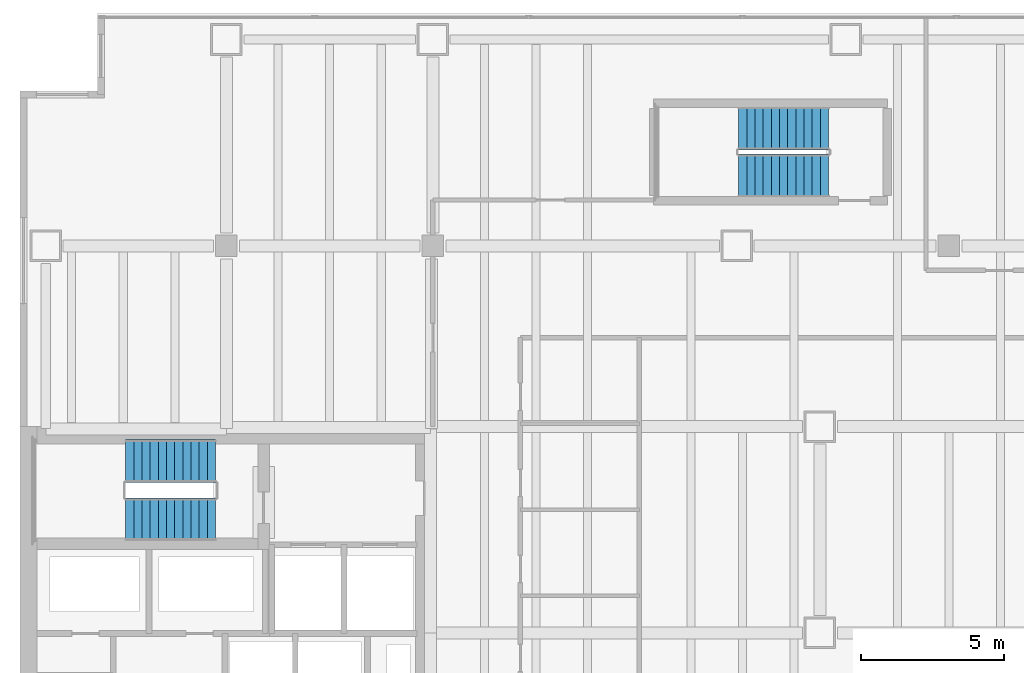
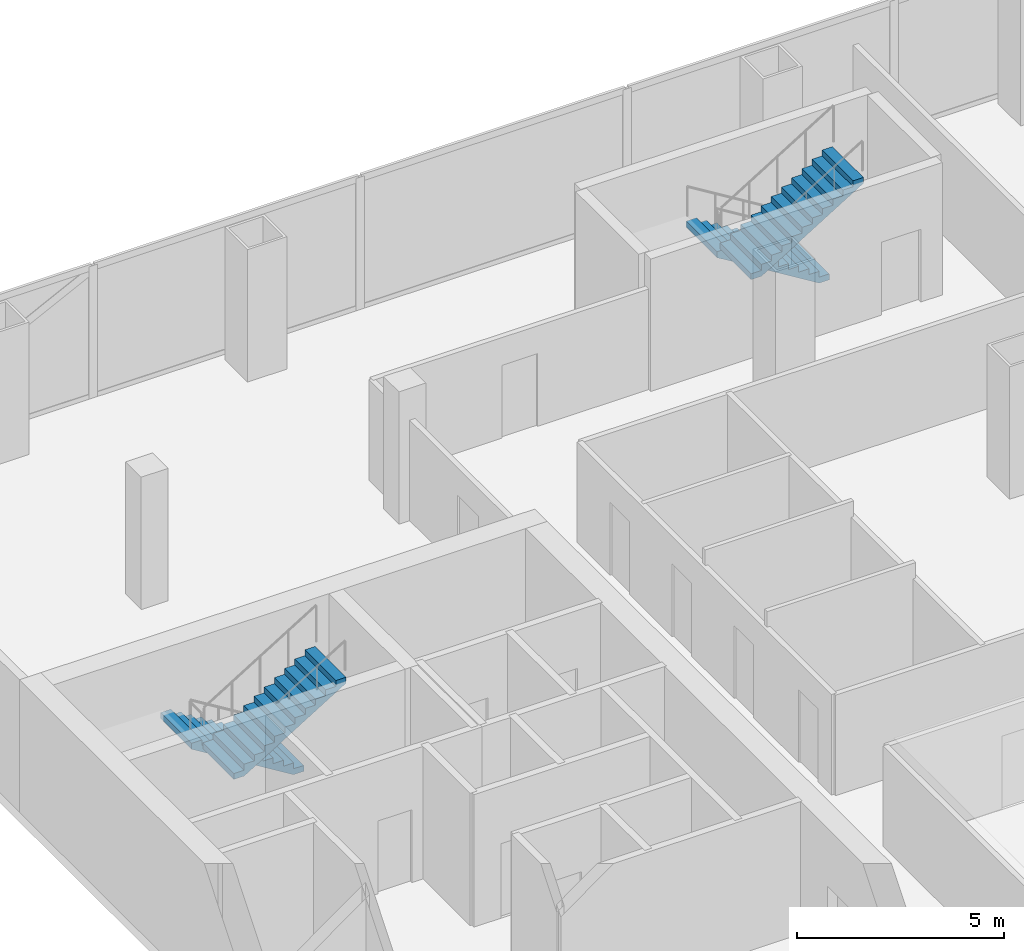
# One storey, part 26 of 28: 4 stair flights, 2 elements without a shape of their own.
"""IFC4 building model written with IfcOpenShell, lengths in metres."""

import ifcopenshell
import ifcopenshell.guid

model = None  # the IFC model being written
_history = None  # IfcOwnerHistory: only IFC2X3 demands one
_inside = {}  # id of a spatial element -> (the spatial element, [elements in it])
_under = {}  # id of a project, library or spatial element -> (it, [spatial elements below it])
_declared = {}  # id of a project -> (the project, [libraries it declares])
_typed = {}  # id of a type object -> (the type object, [elements of that type])
_made_of = {}  # id of a material, layer set ... -> (it, [elements and type objects made of it])


def new_model(schema):
    """Start an empty IFC model of exactly this schema.

    Asked for "IFC4X3", IfcOpenShell would pick the latest addendum, in which some entities
    have other attributes; the version numbers below select the first issue.
    IFC2X3 requires an IfcOwnerHistory on every rooted entity: one is made here for all.
    """
    global model, _history
    if schema == "IFC4X3":
        model = ifcopenshell.file(schema_version=(4, 3, 0, 0))
    else:
        model = ifcopenshell.file(schema=schema)
    _inside.clear()
    _under.clear()
    _declared.clear()
    _typed.clear()
    _made_of.clear()
    _history = None
    if model.schema == "IFC2X3":
        org = make("IfcOrganization", Name="unknown")
        user = make(
            "IfcPersonAndOrganization",
            ThePerson=make("IfcPerson", FamilyName="unknown"),
            TheOrganization=org,
        )
        app = make(
            "IfcApplication",
            ApplicationDeveloper=org,
            Version="unknown",
            ApplicationFullName="unknown",
            ApplicationIdentifier="unknown",
        )
        _history = make(
            "IfcOwnerHistory",
            OwningUser=user,
            OwningApplication=app,
            ChangeAction="ADDED",
            CreationDate=0,
        )
    return model


def make(cls, **values):
    """One entity of the class cls with the attributes given. An attribute that is None is left unset."""
    return model.create_entity(
        cls, **{name: value for name, value in values.items() if value is not None}
    )


def rooted(cls, **values):
    """An entity with a GlobalId (a new one), such as an element, a storey or a relation."""
    return make(cls, GlobalId=ifcopenshell.guid.new(), OwnerHistory=_history, **values)


def si_unit(unit_type, name, prefix=None):
    """IfcSIUnit, for example si_unit("LENGTHUNIT", "METRE", prefix="MILLI")."""
    return make("IfcSIUnit", UnitType=unit_type, Prefix=prefix, Name=name)


def assignment(units):
    """IfcUnitAssignment: the units of a project."""
    return None if units is None else make("IfcUnitAssignment", Units=units)


def point(xyz):
    """IfcCartesianPoint."""
    return None if xyz is None else make("IfcCartesianPoint", Coordinates=xyz)


def direction(xyz):
    """IfcDirection."""
    return None if xyz is None else make("IfcDirection", DirectionRatios=xyz)


def frame(location, z_axis=None, x_axis=None):
    """IfcAxis2Placement3D, a coordinate frame: its origin and axes. An axis left out is left unset."""
    return make(
        "IfcAxis2Placement3D",
        Location=point(location),
        Axis=direction(z_axis),
        RefDirection=direction(x_axis),
    )


def origin():
    """The frame at (0, 0, 0) with its axes left unset."""
    return frame((0.0, 0.0, 0.0))


def place(relative_to, where):
    """IfcLocalPlacement: puts the frame where relative to a parent placement (None: the world)."""
    return make(
        "IfcLocalPlacement", PlacementRelTo=relative_to, RelativePlacement=where
    )


def context(
    kind, dimensions, precision=None, world=None, true_north=None, identifier=None
):
    """IfcGeometricRepresentationContext, for example the 3D "Model" context."""
    return make(
        "IfcGeometricRepresentationContext",
        ContextIdentifier=identifier,
        ContextType=kind,
        CoordinateSpaceDimension=dimensions,
        Precision=precision,
        WorldCoordinateSystem=world,
        TrueNorth=true_north,
    )


def subcontext(parent, identifier, kind, view, scale=None):
    """IfcGeometricRepresentationSubContext, for example "Body" below "Model"."""
    return make(
        "IfcGeometricRepresentationSubContext",
        ContextIdentifier=identifier,
        ContextType=kind,
        ParentContext=parent,
        TargetScale=scale,
        TargetView=view,
    )


def project(units=None, contexts=None):
    """IfcProject with its units and contexts."""
    return rooted(
        "IfcProject",
        Name="project",
        RepresentationContexts=contexts,
        UnitsInContext=assignment(units),
    )


def spatial(cls, under=None, at=None, **own):
    """A site, building, storey or space (cls), placed at a placement, below another one or the project."""
    s = rooted(cls, ObjectPlacement=at, **own)
    if under is not None:
        _under.setdefault(under.id(), (under, []))[1].append(s)
    return s


def polyline(points):
    """IfcPolyline through the points."""
    return make("IfcPolyline", Points=[point(p) for p in points])


def outline(outer, holes=None, kind="AREA"):
    """IfcArbitraryClosedProfileDef: a profile drawn as a closed curve; with holes, ...WithVoids."""
    if holes is None:
        return make("IfcArbitraryClosedProfileDef", ProfileType=kind, OuterCurve=outer)
    return make(
        "IfcArbitraryProfileDefWithVoids",
        ProfileType=kind,
        OuterCurve=outer,
        InnerCurves=holes,
    )


def extrude(swept, where, along, depth):
    """IfcExtrudedAreaSolid: the profile swept, set in the frame where, extruded along a direction by depth."""
    return make(
        "IfcExtrudedAreaSolid",
        SweptArea=swept,
        Position=where,
        ExtrudedDirection=direction(along),
        Depth=depth,
    )


def shape(context_of_items, identifier, shape_type, items):
    """IfcShapeRepresentation: the items that make up one representation, for example the "Body"."""
    return make(
        "IfcShapeRepresentation",
        ContextOfItems=context_of_items,
        RepresentationIdentifier=identifier,
        RepresentationType=shape_type,
        Items=items,
    )


def material(Name=None, Category=None):
    """IfcMaterial."""
    return make("IfcMaterial", Name=Name, Category=Category)


def made_of(thing, what):
    """Note that an element or type object is made of a material, layer set ...; save() writes the relation."""
    if what is not None:
        _made_of.setdefault(what.id(), (what, []))[1].append(thing)
    return thing


def type_object(cls, material=None, **own):
    """A type object (cls), such as IfcWallType, which elements share."""
    return made_of(rooted(cls, **own), material)


def element(
    cls,
    number,
    at=None,
    inside=None,
    cuts=None,
    type_object=None,
    material=None,
    context=None,
    identifier="Body",
    shape_type=None,
    held_by="IfcProductDefinitionShape",
    body=None,
    shapes=None,
    **own,
):
    """One element of the class cls, such as IfcWall. Its Tag is "e" and its number.

    at: its placement. inside: the storey or other place that contains it. cuts: it is an
    opening in that element (IfcRelVoidsElement). A single representation is given by context,
    identifier, shape_type and body (its items); several are given by shapes. held_by: the class
    of the entity that holds the representations. save() writes the other relations.
    """
    e = rooted(cls, Tag="e%d" % number, ObjectPlacement=at, **own)
    if body is not None:
        shapes = [shape(context, identifier, shape_type, body)]
    if shapes is not None:
        e.Representation = make(held_by, Representations=shapes)
    if inside is not None:
        _inside.setdefault(inside.id(), (inside, []))[1].append(e)
    if cuts is not None:
        rooted(
            "IfcRelVoidsElement", RelatingBuildingElement=cuts, RelatedOpeningElement=e
        )
    if type_object is not None:
        _typed.setdefault(type_object.id(), (type_object, []))[1].append(e)
    return made_of(e, material)


def aggregate(whole, parts):
    """IfcRelAggregates: a whole, such as a stair, and the parts it consists of."""
    return rooted("IfcRelAggregates", RelatingObject=whole, RelatedObjects=parts)


def save(model, path):
    """Write the relations noted so far, then the file.

    IfcRelAggregates (storeys below a building ...), IfcRelContainedInSpatialStructure (elements
    in a storey), IfcRelDefinesByType, IfcRelAssociatesMaterial and IfcRelDeclares: one each for
    every whole, place, type object, material and project.
    """
    for whole, parts in _under.values():
        aggregate(whole, parts)
    for where, things in _inside.values():
        rooted(
            "IfcRelContainedInSpatialStructure",
            RelatedElements=things,
            RelatingStructure=where,
        )
    for kind, things in _typed.values():
        rooted("IfcRelDefinesByType", RelatedObjects=things, RelatingType=kind)
    for what, things in _made_of.values():
        rooted("IfcRelAssociatesMaterial", RelatedObjects=things, RelatingMaterial=what)
    for by, libraries in _declared.values():
        rooted("IfcRelDeclares", RelatingContext=by, RelatedDefinitions=libraries)
    model.write(path)


model = new_model("IFC4")

# Units and contexts
model_context = context("Model", 3, precision=1e-05, world=origin(), true_north=direction((0.0, 1.0)))
body_context = subcontext(model_context, "Body", "Model", "MODEL_VIEW")
ifc_project = project(units=[si_unit("LENGTHUNIT", "METRE"), si_unit("AREAUNIT", "SQUARE_METRE"), si_unit("VOLUMEUNIT", "CUBIC_METRE"), si_unit("PLANEANGLEUNIT", "RADIAN"), si_unit("MASSUNIT", "GRAM", prefix="KILO")], contexts=[model_context])

# Site, building, storey
site_placement = place(None, origin())
site = spatial("IfcSite", under=ifc_project, at=site_placement, CompositionType="ELEMENT")
building_placement = place(site_placement, origin())
building = spatial("IfcBuilding", under=site, at=building_placement, Name="Cobrela Telecom Tower", CompositionType="ELEMENT")
storey_placement = place(building_placement, frame((0.0, 0.0, 17.85009765625)))
storey = spatial("IfcBuildingStorey", under=building, at=storey_placement, Name="L04", CompositionType="ELEMENT", Elevation=17.85009765625)

# Stair, stair flights
ifc_material = material(Name="Concrete C40/50", Category="concrete")
stair_type = type_object("IfcStairType", Name="STAIR-CORE", PredefinedType="HALF_TURN_STAIR", material=ifc_material)
stair_1_placement = place(storey_placement, origin())
stair_1 = element("IfcStair", 1, at=stair_1_placement, inside=storey, type_object=stair_type, Name="L04 Smokeproof Exit Stair ST1", PredefinedType="HALF_TURN_STAIR")
stair_flight_type = type_object("IfcStairFlightType", Name="FLIGHT-CORE", PredefinedType="STRAIGHT", material=ifc_material)
stair_flight_1_placement = place(storey_placement, frame((6.820068359375, 34.800048828125, 0.0), z_axis=(0.0, 0.0, 1.0), x_axis=(-1.0, 0.0, 0.0)))
stair_flight_1 = element("IfcStairFlight", 2, at=stair_flight_1_placement, type_object=stair_flight_type, Name="ST1 flight 1", NumberOfRisers=12, NumberOfTreads=11, PredefinedType="STRAIGHT", RiserHeight=0.175, TreadLength=0.285, context=body_context, shape_type="SweptSolid", body=[
    extrude(outline(polyline([(0.0, 0.0), (0.0, 0.175048828125), (0.284912109375, 0.175048828125), (0.284912109375, 0.35009765625), (0.570068359375, 0.35009765625), (0.570068359375, 0.52490234375), (0.85498046875, 0.52490234375), (0.85498046875, 0.699951171875), (1.139892578125, 0.699951171875), (1.139892578125, 0.875), (1.425048828125, 0.875), (1.425048828125, 1.050048828125), (1.7099609375, 1.050048828125), (1.7099609375, 1.22509765625), (1.9951171875, 1.22509765625), (1.9951171875, 1.39990234375), (2.280029296875, 1.39990234375), (2.280029296875, 1.574951171875), (2.56494140625, 1.574951171875), (2.56494140625, 1.75), (2.85009765625, 1.75), (2.85009765625, 1.925048828125), (3.135009765625, 1.925048828125), (3.135009765625, 2.10009765625), (3.135009765625, 1.7490234375), (0.286376953125, 0.0), (0.0, 0.0)])), frame((0.0, 0.75, 0.0), z_axis=(0.0, -1.0, 0.0), x_axis=(1.0, 0.0, 0.0)), (0.0, 0.0, 1.0), 1.5),
])
stair_flight_2_placement = place(storey_placement, frame((3.68505859375, 32.75, 2.099853515625), z_axis=(0.0, 0.0, 1.0), x_axis=(1.0, 0.0, 0.0)))
stair_flight_2 = element("IfcStairFlight", 3, at=stair_flight_2_placement, type_object=stair_flight_type, Name="ST1 flight 2", NumberOfRisers=12, NumberOfTreads=11, PredefinedType="STRAIGHT", RiserHeight=0.175, TreadLength=0.285, context=body_context, shape_type="SweptSolid", body=[
    extrude(outline(polyline([(0.0, 0.0), (0.0, 0.175048828125), (0.284912109375, 0.175048828125), (0.284912109375, 0.35009765625), (0.570068359375, 0.35009765625), (0.570068359375, 0.52490234375), (0.85498046875, 0.52490234375), (0.85498046875, 0.699951171875), (1.139892578125, 0.699951171875), (1.139892578125, 0.875), (1.425048828125, 0.875), (1.425048828125, 1.050048828125), (1.7099609375, 1.050048828125), (1.7099609375, 1.22509765625), (1.9951171875, 1.22509765625), (1.9951171875, 1.39990234375), (2.280029296875, 1.39990234375), (2.280029296875, 1.574951171875), (2.56494140625, 1.574951171875), (2.56494140625, 1.75), (2.85009765625, 1.75), (2.85009765625, 1.925048828125), (3.135009765625, 1.925048828125), (3.135009765625, 2.10009765625), (3.135009765625, 1.7490234375), (0.286376953125, 0.0), (0.0, 0.0)])), frame((0.0, 0.75, 0.0), z_axis=(0.0, -1.0, 0.0), x_axis=(1.0, 0.0, 0.0)), (0.0, 0.0, 1.0), 1.5),
])
aggregate(stair_1, [stair_flight_1, stair_flight_2])

stair_2_placement = place(storey_placement, origin())
stair_2 = element("IfcStair", 4, at=stair_2_placement, inside=storey, type_object=stair_type, Name="L04 Smokeproof Exit Stair ST3", PredefinedType="HALF_TURN_STAIR")
stair_flight_3_placement = place(storey_placement, frame((28.199951171875, 46.39990234375, 0.0), z_axis=(0.0, 0.0, 1.0), x_axis=(-1.0, 0.0, 0.0)))
stair_flight_3 = element("IfcStairFlight", 5, at=stair_flight_3_placement, type_object=stair_flight_type, Name="ST3 flight 1", NumberOfRisers=12, NumberOfTreads=11, PredefinedType="STRAIGHT", RiserHeight=0.175, TreadLength=0.285, context=body_context, shape_type="SweptSolid", body=[
    extrude(outline(polyline([(0.0, 0.0), (0.0, 0.175048828125), (0.284912109375, 0.175048828125), (0.284912109375, 0.35009765625), (0.570068359375, 0.35009765625), (0.570068359375, 0.52490234375), (0.85498046875, 0.52490234375), (0.85498046875, 0.699951171875), (1.139892578125, 0.699951171875), (1.139892578125, 0.875), (1.425048828125, 0.875), (1.425048828125, 1.050048828125), (1.7099609375, 1.050048828125), (1.7099609375, 1.22509765625), (1.9951171875, 1.22509765625), (1.9951171875, 1.39990234375), (2.280029296875, 1.39990234375), (2.280029296875, 1.574951171875), (2.56494140625, 1.574951171875), (2.56494140625, 1.75), (2.85009765625, 1.75), (2.85009765625, 1.925048828125), (3.135009765625, 1.925048828125), (3.135009765625, 2.10009765625), (3.135009765625, 1.7490234375), (0.286376953125, 0.0), (0.0, 0.0)])), frame((0.0, 0.75, 0.0), z_axis=(0.0, -1.0, 0.0), x_axis=(1.0, 0.0, 0.0)), (0.0, 0.0, 1.0), 1.5),
])
stair_flight_4_placement = place(storey_placement, frame((25.06494140625, 44.75, 2.099853515625), z_axis=(0.0, 0.0, 1.0), x_axis=(1.0, 0.0, 0.0)))
stair_flight_4 = element("IfcStairFlight", 6, at=stair_flight_4_placement, type_object=stair_flight_type, Name="ST3 flight 2", NumberOfRisers=12, NumberOfTreads=11, PredefinedType="STRAIGHT", RiserHeight=0.175, TreadLength=0.285, context=body_context, shape_type="SweptSolid", body=[
    extrude(outline(polyline([(0.0, 0.0), (0.0, 0.175048828125), (0.284912109375, 0.175048828125), (0.284912109375, 0.35009765625), (0.570068359375, 0.35009765625), (0.570068359375, 0.52490234375), (0.85498046875, 0.52490234375), (0.85498046875, 0.699951171875), (1.139892578125, 0.699951171875), (1.139892578125, 0.875), (1.425048828125, 0.875), (1.425048828125, 1.050048828125), (1.7099609375, 1.050048828125), (1.7099609375, 1.22509765625), (1.9951171875, 1.22509765625), (1.9951171875, 1.39990234375), (2.280029296875, 1.39990234375), (2.280029296875, 1.574951171875), (2.56494140625, 1.574951171875), (2.56494140625, 1.75), (2.85009765625, 1.75), (2.85009765625, 1.925048828125), (3.135009765625, 1.925048828125), (3.135009765625, 2.10009765625), (3.135009765625, 1.7490234375), (0.286376953125, 0.0), (0.0, 0.0)])), frame((0.0, 0.75, 0.0), z_axis=(0.0, -1.0, 0.0), x_axis=(1.0, 0.0, 0.0)), (0.0, 0.0, 1.0), 1.5),
])
aggregate(stair_2, [stair_flight_3, stair_flight_4])

save(model, "model.ifc")
